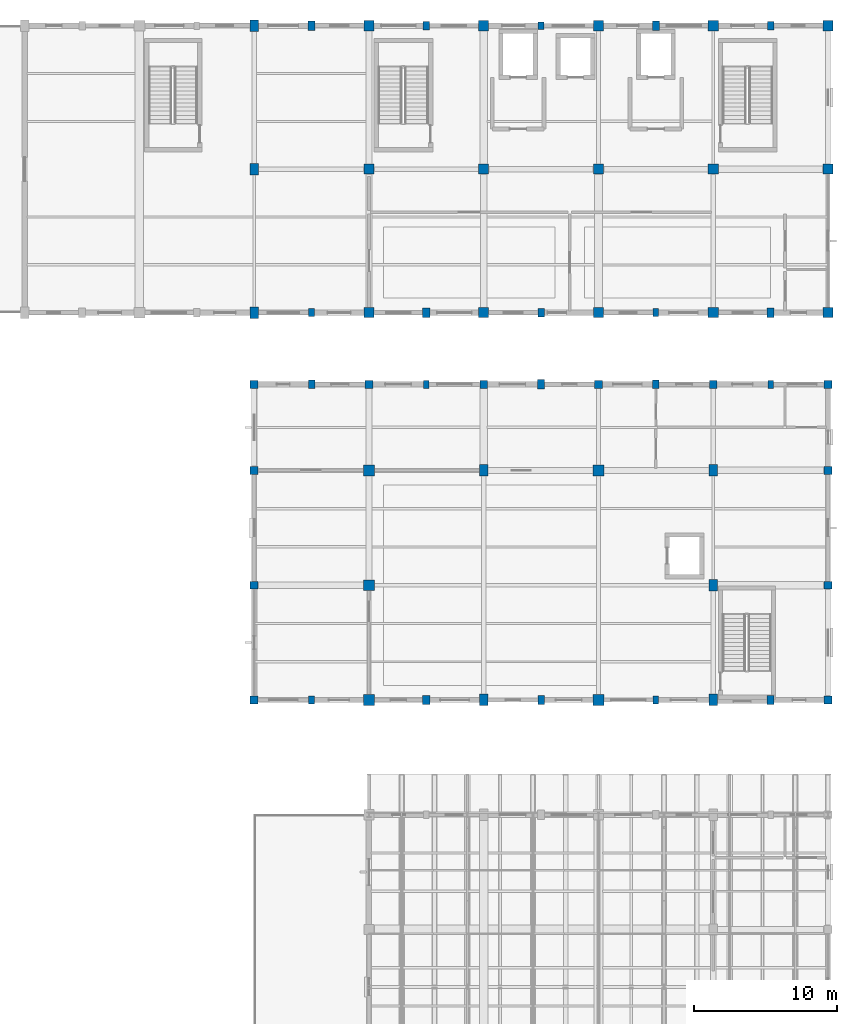
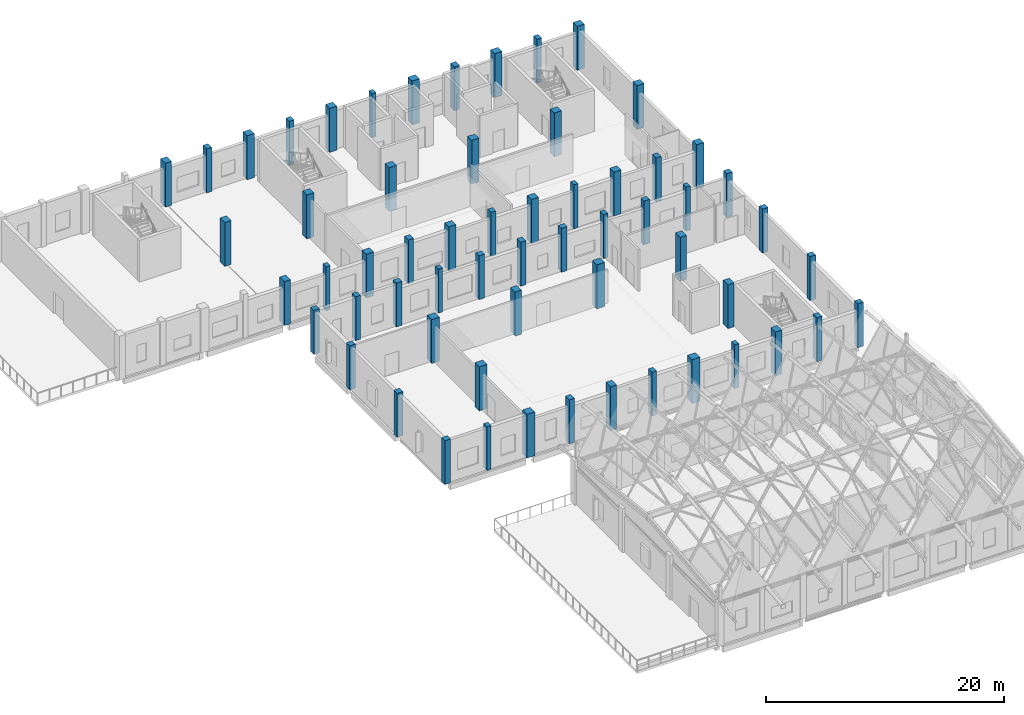
# One storey, part 8 of 77: 60 columns.
"""IFC4 building model written with IfcOpenShell, lengths in metres."""

from ifc_helpers import new_model, si_unit, direction, frame, origin, origin_2d, place, context, subcontext, project, spatial, rectangle, extrude, material, material_profile, profile_set, type_object, element, save


model = new_model("IFC4")

# Units and contexts
model_context = context("Model", 3, precision=1e-05, world=origin(), true_north=direction((0.0, 1.0)))
body_context = subcontext(model_context, "Body", "Model", "MODEL_VIEW")
ifc_project = project(units=[si_unit("LENGTHUNIT", "METRE"), si_unit("AREAUNIT", "SQUARE_METRE"), si_unit("VOLUMEUNIT", "CUBIC_METRE"), si_unit("PLANEANGLEUNIT", "RADIAN"), si_unit("MASSUNIT", "GRAM", prefix="KILO")], contexts=[model_context])

# Site, building, storey
site_placement = place(None, origin())
site = spatial("IfcSite", under=ifc_project, at=site_placement, CompositionType="ELEMENT")
building_placement = place(site_placement, origin())
building = spatial("IfcBuilding", under=site, at=building_placement, Name="Luwemba Playhouse", CompositionType="ELEMENT")
storey_placement = place(building_placement, frame((0.0, 0.0, 9.300048828125)))
storey = spatial("IfcBuildingStorey", under=building, at=storey_placement, Name="L02", CompositionType="ELEMENT", Elevation=9.300048828125)

# Columns
ifc_material = material(Name="Concrete C40/50", Category="concrete")
ifc_material_profile_1 = material_profile(ifc_material, rectangle(XDim=0.550048828125, YDim=0.550048828125, at=origin_2d()))
ifc_profile_set_1 = profile_set([ifc_material_profile_1], Name="Concrete C40/50")
column_type_1 = type_object("IfcColumnType", Name="COL-C03", PredefinedType="COLUMN", material=ifc_profile_set_1)
for number, where, z_axis, x_axis, name in (
    (1, (132.0, 68.0, 0.0), (0.0, 0.0, 1.0), (1.0, 0.0, 0.0), "L02 column 180"),
    (2, (132.0, 76.0, 0.0), (0.0, 0.0, 1.0), (1.0, 0.0, 0.0), "L02 column 181"),
    (3, (132.0, 84.0, 0.0), (0.0, 0.0, 1.0), (1.0, 0.0, 0.0), "L02 column 182"),
    (4, (132.0, 90.0, 0.0), (0.0, 0.0, 1.0), (1.0, 0.0, 0.0), "L02 column 183"),
    (5, (140.0, 90.0, 0.0), (0.0, 0.0, 1.0), (1.0, 0.0, 0.0), "L02 column 206"),
    (6, (148.0, 90.0, 0.0), (0.0, 0.0, 1.0), (1.0, 0.0, 0.0), "L02 column 229"),
    (7, (156.0, 90.0, 0.0), (0.0, 0.0, 1.0), (1.0, 0.0, 0.0), "L02 column 252"),
    (8, (164.0, 90.0, 0.0), (0.0, 0.0, 1.0), (1.0, 0.0, 0.0), "L02 column 275"),
    (9, (172.0, 68.0, 0.0), (0.0, 0.0, 1.0), (1.0, 0.0, 0.0), "L02 column 295"),
    (10, (172.0, 76.0, 0.0), (0.0, 0.0, 1.0), (1.0, 0.0, 0.0), "L02 column 296"),
    (11, (172.0, 84.0, 0.0), (0.0, 0.0, 1.0), (1.0, 0.0, 0.0), "L02 column 297"),
    (12, (172.0, 90.0, 0.0), (0.0, 0.0, 1.0), (1.0, 0.0, 0.0), "L02 column 298"),
):
    element("IfcColumn", number, at=place(storey_placement, frame(where, z_axis=z_axis, x_axis=x_axis)), inside=storey, type_object=column_type_1, Name=name, PredefinedType="COLUMN", context=body_context, shape_type="SweptSolid", body=[
        extrude(rectangle(XDim=0.550048828125, YDim=0.550048828125, at=origin_2d()), origin(), (0.0, 0.0, 1.0), 4.5),
    ])
ifc_material_profile_2 = material_profile(ifc_material, rectangle(XDim=0.699951171875, YDim=0.699951171875, at=origin_2d()))
ifc_profile_set_2 = profile_set([ifc_material_profile_2], Name="Concrete C40/50")
column_type_2 = type_object("IfcColumnType", Name="COL-C06", PredefinedType="COLUMN", material=ifc_profile_set_2)
for number, where, z_axis, x_axis, name in (
    (13, (140.0, 95.0, 0.0), (0.0, 0.0, 1.0), (1.0, 0.0, 0.0), "L02 column 207"),
    (14, (140.0, 105.0, 0.0), (0.0, 0.0, 1.0), (1.0, 0.0, 0.0), "L02 column 208"),
    (15, (140.0, 115.0, 0.0), (0.0, 0.0, 1.0), (1.0, 0.0, 0.0), "L02 column 209"),
    (16, (148.0, 95.0, 0.0), (0.0, 0.0, 1.0), (1.0, 0.0, 0.0), "L02 column 230"),
    (17, (148.0, 105.0, 0.0), (0.0, 0.0, 1.0), (1.0, 0.0, 0.0), "L02 column 231"),
    (18, (148.0, 115.0, 0.0), (0.0, 0.0, 1.0), (1.0, 0.0, 0.0), "L02 column 232"),
    (19, (156.0, 95.0, 0.0), (0.0, 0.0, 1.0), (1.0, 0.0, 0.0), "L02 column 253"),
    (20, (156.0, 105.0, 0.0), (0.0, 0.0, 1.0), (1.0, 0.0, 0.0), "L02 column 254"),
    (21, (156.0, 115.0, 0.0), (0.0, 0.0, 1.0), (1.0, 0.0, 0.0), "L02 column 255"),
    (22, (164.0, 95.0, 0.0), (0.0, 0.0, 1.0), (1.0, 0.0, 0.0), "L02 column 276"),
    (23, (164.0, 105.0, 0.0), (0.0, 0.0, 1.0), (1.0, 0.0, 0.0), "L02 column 277"),
    (24, (164.0, 115.0, 0.0), (0.0, 0.0, 1.0), (1.0, 0.0, 0.0), "L02 column 278"),
    (25, (172.0, 95.0, 0.0), (0.0, 0.0, 1.0), (1.0, 0.0, 0.0), "L02 column 299"),
    (26, (172.0, 105.0, 0.0), (0.0, 0.0, 1.0), (1.0, 0.0, 0.0), "L02 column 300"),
    (27, (172.0, 115.0, 0.0), (0.0, 0.0, 1.0), (1.0, 0.0, 0.0), "L02 column 301"),
):
    element("IfcColumn", number, at=place(storey_placement, frame(where, z_axis=z_axis, x_axis=x_axis)), inside=storey, type_object=column_type_2, Name=name, PredefinedType="COLUMN", context=body_context, shape_type="SweptSolid", body=[
        extrude(rectangle(XDim=0.699951171875, YDim=0.699951171875, at=origin_2d()), origin(), (0.0, 0.0, 1.0), 4.5),
    ])
ifc_material_profile_3 = material_profile(ifc_material, rectangle(XDim=0.75, YDim=0.75, at=origin_2d()))
ifc_profile_set_3 = profile_set([ifc_material_profile_3], Name="Concrete C40/50")
column_type_3 = type_object("IfcColumnType", Name="COL-C07", PredefinedType="COLUMN", material=ifc_profile_set_3)
for number, where, z_axis, x_axis, name in (
    (28, (140.0, 68.0, 0.0), (0.0, 0.0, 1.0), (1.0, 0.0, 0.0), "L02 column 203"),
    (29, (140.0, 76.0, 0.0), (0.0, 0.0, 1.0), (1.0, 0.0, 0.0), "L02 column 204"),
    (30, (140.0, 84.0, 0.0), (0.0, 0.0, 1.0), (1.0, 0.0, 0.0), "L02 column 205"),
    (31, (156.0, 68.0, 0.0), (0.0, 0.0, 1.0), (1.0, 0.0, 0.0), "L02 column 249"),
    (32, (156.0, 84.0, 0.0), (0.0, 0.0, 1.0), (1.0, 0.0, 0.0), "L02 column 251"),
):
    element("IfcColumn", number, at=place(storey_placement, frame(where, z_axis=z_axis, x_axis=x_axis)), inside=storey, type_object=column_type_3, Name=name, PredefinedType="COLUMN", context=body_context, shape_type="SweptSolid", body=[
        extrude(rectangle(XDim=0.75, YDim=0.75, at=origin_2d()), origin(), (0.0, 0.0, 1.0), 4.5),
    ])
ifc_material_profile_4 = material_profile(ifc_material, rectangle(XDim=0.60009765625, YDim=0.800048828125, at=origin_2d()))
ifc_profile_set_4 = profile_set([ifc_material_profile_4], Name="Concrete C40/50")
column_type_4 = type_object("IfcColumnType", Name="COL-C12", PredefinedType="COLUMN", material=ifc_profile_set_4)
for number, where, z_axis, x_axis, name in (
    (33, (132.0, 95.0, 0.0), (0.0, 0.0, 1.0), (1.0, 0.0, 0.0), "L02 column 184"),
    (34, (132.0, 105.0, 0.0), (0.0, 0.0, 1.0), (1.0, 0.0, 0.0), "L02 column 185"),
    (35, (132.0, 115.0, 0.0), (0.0, 0.0, 1.0), (1.0, 0.0, 0.0), "L02 column 186"),
    (36, (148.0, 68.0, 0.0), (0.0, 0.0, 1.0), (1.0, 0.0, 0.0), "L02 column 226"),
    (37, (148.0, 84.0, 0.0), (0.0, 0.0, 1.0), (1.0, 0.0, 0.0), "L02 column 228"),
    (38, (164.0, 68.0, 0.0), (0.0, 0.0, 1.0), (1.0, 0.0, 0.0), "L02 column 272"),
    (39, (164.0, 76.0, 0.0), (0.0, 0.0, 1.0), (1.0, 0.0, 0.0), "L02 column 273"),
    (40, (164.0, 84.0, 0.0), (0.0, 0.0, 1.0), (1.0, 0.0, 0.0), "L02 column 274"),
):
    element("IfcColumn", number, at=place(storey_placement, frame(where, z_axis=z_axis, x_axis=x_axis)), inside=storey, type_object=column_type_4, Name=name, PredefinedType="COLUMN", context=body_context, shape_type="SweptSolid", body=[
        extrude(rectangle(XDim=0.60009765625, YDim=0.800048828125, at=origin_2d()), origin(), (0.0, 0.0, 1.0), 4.5),
    ])
ifc_material_profile_5 = material_profile(ifc_material, rectangle(XDim=0.39990234375, YDim=0.550048828125, at=origin_2d()))
ifc_profile_set_5 = profile_set([ifc_material_profile_5], Name="Concrete C40/50")
column_type_5 = type_object("IfcColumnType", Name="COL-PIL1", PredefinedType="PILASTER", material=ifc_profile_set_5)
for number, where, z_axis, x_axis, name in (
    (41, (136.0, 68.0, 0.0), (0.0, 0.0, 1.0), (1.0, 0.0, 0.0), "L02 column 191"),
    (42, (136.0, 95.0, 0.0), (0.0, 0.0, 1.0), (1.0, 0.0, 0.0), "L02 column 193"),
    (43, (144.0, 90.0, 0.0), (0.0, 0.0, 1.0), (1.0, 0.0, 0.0), "L02 column 215"),
    (44, (152.0, 115.0, 0.0), (0.0, 0.0, 1.0), (1.0, 0.0, 0.0), "L02 column 240"),
    (45, (160.0, 68.0, 0.0), (0.0, 0.0, 1.0), (1.0, 0.0, 0.0), "L02 column 260"),
    (46, (160.0, 95.0, 0.0), (0.0, 0.0, 1.0), (1.0, 0.0, 0.0), "L02 column 262"),
    (47, (168.0, 90.0, 0.0), (0.0, 0.0, 1.0), (1.0, 0.0, 0.0), "L02 column 284"),
):
    element("IfcColumn", number, at=place(storey_placement, frame(where, z_axis=z_axis, x_axis=x_axis)), inside=storey, type_object=column_type_5, Name=name, PredefinedType="PILASTER", context=body_context, shape_type="SweptSolid", body=[
        extrude(rectangle(XDim=0.39990234375, YDim=0.550048828125, at=origin_2d()), origin(), (0.0, 0.0, 1.0), 4.5),
    ])
ifc_material_profile_6 = material_profile(ifc_material, rectangle(XDim=0.449951171875, YDim=0.60009765625, at=origin_2d()))
ifc_profile_set_6 = profile_set([ifc_material_profile_6], Name="Concrete C40/50")
column_type_6 = type_object("IfcColumnType", Name="COL-PIL2", PredefinedType="PILASTER", material=ifc_profile_set_6)
for number, where, z_axis, x_axis, name in (
    (48, (136.0, 90.0, 0.0), (0.0, 0.0, 1.0), (1.0, 0.0, 0.0), "L02 column 192"),
    (49, (144.0, 115.0, 0.0), (0.0, 0.0, 1.0), (1.0, 0.0, 0.0), "L02 column 217"),
    (50, (152.0, 68.0, 0.0), (0.0, 0.0, 1.0), (1.0, 0.0, 0.0), "L02 column 237"),
    (51, (152.0, 95.0, 0.0), (0.0, 0.0, 1.0), (1.0, 0.0, 0.0), "L02 column 239"),
    (52, (160.0, 90.0, 0.0), (0.0, 0.0, 1.0), (1.0, 0.0, 0.0), "L02 column 261"),
    (53, (168.0, 115.0, 0.0), (0.0, 0.0, 1.0), (1.0, 0.0, 0.0), "L02 column 286"),
):
    element("IfcColumn", number, at=place(storey_placement, frame(where, z_axis=z_axis, x_axis=x_axis)), inside=storey, type_object=column_type_6, Name=name, PredefinedType="PILASTER", context=body_context, shape_type="SweptSolid", body=[
        extrude(rectangle(XDim=0.449951171875, YDim=0.60009765625, at=origin_2d()), origin(), (0.0, 0.0, 1.0), 4.5),
    ])
ifc_material_profile_7 = material_profile(ifc_material, rectangle(XDim=0.5, YDim=0.64990234375, at=origin_2d()))
ifc_profile_set_7 = profile_set([ifc_material_profile_7], Name="Concrete C40/50")
column_type_7 = type_object("IfcColumnType", Name="COL-PIL3", PredefinedType="PILASTER", material=ifc_profile_set_7)
for number, where, z_axis, x_axis, name in (
    (54, (136.0, 115.0, 0.0), (0.0, 0.0, 1.0), (1.0, 0.0, 0.0), "L02 column 194"),
    (55, (144.0, 68.0, 0.0), (0.0, 0.0, 1.0), (1.0, 0.0, 0.0), "L02 column 214"),
    (56, (144.0, 95.0, 0.0), (0.0, 0.0, 1.0), (1.0, 0.0, 0.0), "L02 column 216"),
    (57, (152.0, 90.0, 0.0), (0.0, 0.0, 1.0), (1.0, 0.0, 0.0), "L02 column 238"),
    (58, (160.0, 115.0, 0.0), (0.0, 0.0, 1.0), (1.0, 0.0, 0.0), "L02 column 263"),
    (59, (168.0, 68.0, 0.0), (0.0, 0.0, 1.0), (1.0, 0.0, 0.0), "L02 column 283"),
    (60, (168.0, 95.0, 0.0), (0.0, 0.0, 1.0), (1.0, 0.0, 0.0), "L02 column 285"),
):
    element("IfcColumn", number, at=place(storey_placement, frame(where, z_axis=z_axis, x_axis=x_axis)), inside=storey, type_object=column_type_7, Name=name, PredefinedType="PILASTER", context=body_context, shape_type="SweptSolid", body=[
        extrude(rectangle(XDim=0.5, YDim=0.64990234375, at=origin_2d()), origin(), (0.0, 0.0, 1.0), 4.5),
    ])

save(model, "model.ifc")
